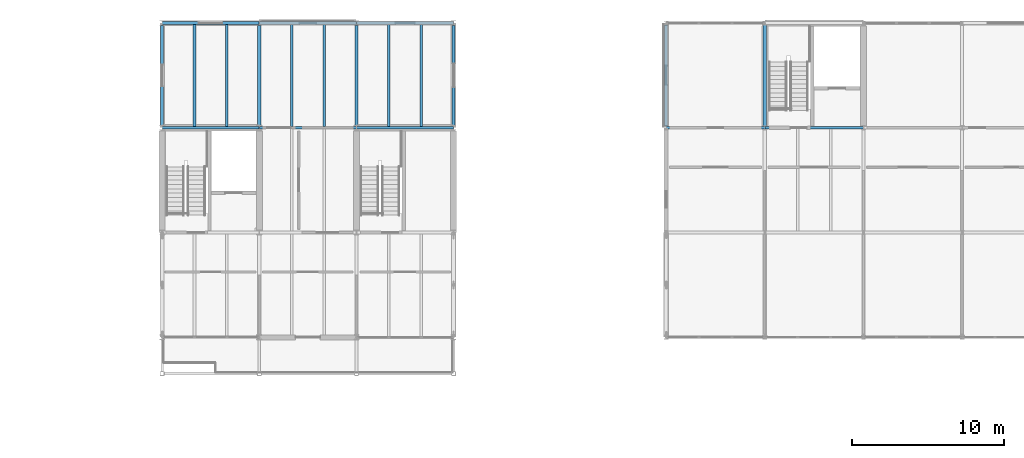
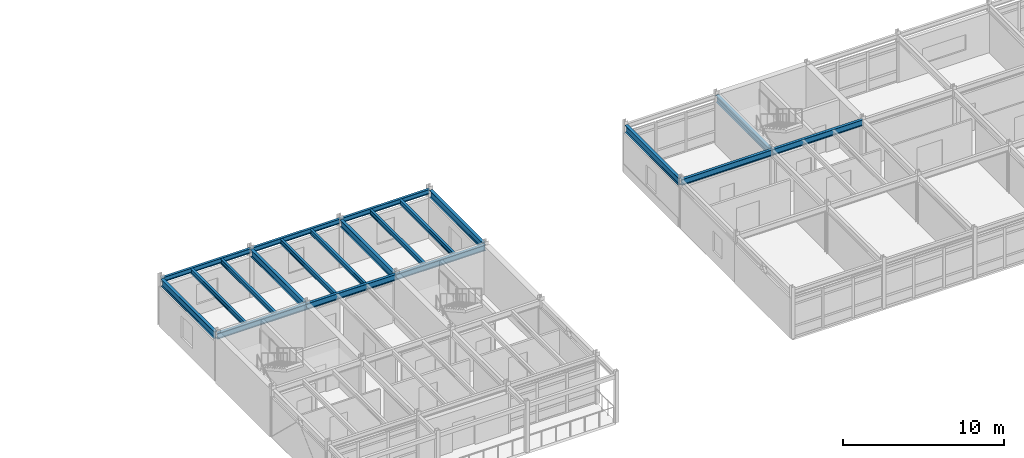
# One storey, part 26 of 57: 20 beams.
"""IFC4 building model written with IfcOpenShell, lengths in metres."""

from ifc_helpers import new_model, si_unit, direction, frame, origin, origin_2d, place, context, subcontext, project, spatial, i_section, extrude, material, material_profile, profile_set, type_object, element, save


model = new_model("IFC4")

# Units and contexts
model_context = context("Model", 3, precision=1e-05, world=origin(), true_north=direction((0.0, 1.0)))
body_context = subcontext(model_context, "Body", "Model", "MODEL_VIEW")
ifc_project = project(units=[si_unit("LENGTHUNIT", "METRE"), si_unit("AREAUNIT", "SQUARE_METRE"), si_unit("VOLUMEUNIT", "CUBIC_METRE"), si_unit("PLANEANGLEUNIT", "RADIAN"), si_unit("MASSUNIT", "GRAM", prefix="KILO")], contexts=[model_context])

# Site, building, storey
site_placement = place(None, origin())
site = spatial("IfcSite", under=ifc_project, at=site_placement, CompositionType="ELEMENT")
building_placement = place(site_placement, origin())
building = spatial("IfcBuilding", under=site, at=building_placement, Name="Trelmorton Wharf Fire Station", CompositionType="ELEMENT")
storey_placement = place(building_placement, frame((0.0, 0.0, 13.5)))
storey = spatial("IfcBuildingStorey", under=building, at=storey_placement, Name="L03", CompositionType="ELEMENT", Elevation=13.5)

# Beams
ifc_material = material(Name="Steel Grade 350", Category="steel")
ifc_material_profile_1 = material_profile(ifc_material, i_section(OverallWidth=0.18994140625, OverallDepth=0.45703125, WebThickness=0.009033203125, FlangeThickness=0.014404296875, FilletRadius=0.011474609375, at=origin_2d()), Name="460UB74.6")
ifc_profile_set_1 = profile_set([ifc_material_profile_1], Name="Steel Grade 350")
beam_type_1 = type_object("IfcBeamType", Name="BM_460UB75", PredefinedType="BEAM", material=ifc_profile_set_1)
beam_1_placement = place(storey_placement, frame((70.804931640625, 74.10009765625, 3.401611328125), z_axis=(1.0, 0.0, 0.0), x_axis=(0.0, 1.0, 0.0)))
element("IfcBeam", 1, at=beam_1_placement, inside=storey, type_object=beam_type_1, Name="BM-L03-0942", PredefinedType="BEAM", context=body_context, shape_type="SweptSolid", body=[
    extrude(i_section(OverallWidth=0.18994140625, OverallDepth=0.45703125, WebThickness=0.009033203125, FlangeThickness=0.014404296875, FilletRadius=0.011474609375, at=origin_2d()), origin(), (0.0, 0.0, 1.0), 6.39013671875),
])
beam_2_placement = place(storey_placement, frame((77.204833984375, 74.10009765625, 3.401611328125), z_axis=(1.0, 0.0, 0.0), x_axis=(0.0, 1.0, 0.0)))
element("IfcBeam", 2, at=beam_2_placement, inside=storey, type_object=beam_type_1, Name="BM-L03-0943", PredefinedType="BEAM", context=body_context, shape_type="SweptSolid", body=[
    extrude(i_section(OverallWidth=0.18994140625, OverallDepth=0.45703125, WebThickness=0.009033203125, FlangeThickness=0.014404296875, FilletRadius=0.011474609375, at=origin_2d()), origin(), (0.0, 0.0, 1.0), 6.390380859375),
])
beam_3_placement = place(storey_placement, frame((83.60498046875, 74.10009765625, 3.401611328125), z_axis=(1.0, 0.0, 0.0), x_axis=(0.0, 1.0, 0.0)))
element("IfcBeam", 3, at=beam_3_placement, inside=storey, type_object=beam_type_1, Name="BM-L03-0944", PredefinedType="BEAM", context=body_context, shape_type="SweptSolid", body=[
    extrude(i_section(OverallWidth=0.18994140625, OverallDepth=0.45703125, WebThickness=0.009033203125, FlangeThickness=0.014404296875, FilletRadius=0.011474609375, at=origin_2d()), origin(), (0.0, 0.0, 1.0), 6.39013671875),
])
for number, where, z_axis, x_axis, name in (
    (4, (104.00390625, 74.10009765625, 3.401611328125), (1.0, 0.0, 0.0), (0.0, 1.0, 0.0), "BM-L03-0945"),
    (5, (110.50390625, 74.10009765625, 3.401611328125), (1.0, 0.0, 0.0), (0.0, 1.0, 0.0), "BM-L03-0946"),
):
    element("IfcBeam", number, at=place(storey_placement, frame(where, z_axis=z_axis, x_axis=x_axis)), inside=storey, type_object=beam_type_1, Name=name, PredefinedType="BEAM", context=body_context, shape_type="SweptSolid", body=[
        extrude(i_section(OverallWidth=0.18994140625, OverallDepth=0.45703125, WebThickness=0.009033203125, FlangeThickness=0.014404296875, FilletRadius=0.011474609375, at=origin_2d()), origin(), (0.0, 0.0, 1.0), 6.4921875),
    ])
ifc_material_profile_2 = material_profile(ifc_material, i_section(OverallWidth=0.208984375, OverallDepth=0.532958984375, WebThickness=0.01025390625, FlangeThickness=0.015625, FilletRadius=0.013916015625, at=origin_2d()), Name="530UB92.4")
ifc_profile_set_2 = profile_set([ifc_material_profile_2], Name="Steel Grade 350")
beam_type_2 = type_object("IfcBeamType", Name="BM_530UB92", PredefinedType="BEAM", material=ifc_profile_set_2)
for number, where, z_axis, x_axis, name in (
    (6, (70.800048828125, 74.256591796875, 3.363525390625), (0.0, 1.0, 0.0), (-1.0, 0.0, 0.0), "BM-L03-0967"),
    (7, (77.199951171875, 74.256591796875, 3.363525390625), (0.0, 1.0, 0.0), (-1.0, 0.0, 0.0), "BM-L03-0971"),
    (8, (83.60009765625, 74.256591796875, 3.363525390625), (0.0, 1.0, 0.0), (-1.0, 0.0, 0.0), "BM-L03-0975"),
    (9, (90.0, 74.256591796875, 3.363525390625), (0.0, 1.0, 0.0), (-1.0, 0.0, 0.0), "BM-L03-0979"),
):
    element("IfcBeam", number, at=place(storey_placement, frame(where, z_axis=z_axis, x_axis=x_axis)), inside=storey, type_object=beam_type_2, Name=name, PredefinedType="BEAM", context=body_context, shape_type="SweptSolid", body=[
        extrude(i_section(OverallWidth=0.208984375, OverallDepth=0.532958984375, WebThickness=0.01025390625, FlangeThickness=0.015625, FilletRadius=0.013916015625, at=origin_2d()), origin(), (0.0, 0.0, 1.0), 6.5869140625),
    ])
for number, where, z_axis, x_axis, name in (
    (10, (104.0, 74.22607421875, 3.363525390625), (0.0, 1.0, 0.0), (-1.0, 0.0, 0.0), "BM-L03-0982"),
    (11, (110.5, 74.22607421875, 3.363525390625), (0.0, 1.0, 0.0), (-1.0, 0.0, 0.0), "BM-L03-0988"),
):
    element("IfcBeam", number, at=place(storey_placement, frame(where, z_axis=z_axis, x_axis=x_axis)), inside=storey, type_object=beam_type_2, Name=name, PredefinedType="BEAM", context=body_context, shape_type="SweptSolid", body=[
        extrude(i_section(OverallWidth=0.208984375, OverallDepth=0.532958984375, WebThickness=0.01025390625, FlangeThickness=0.015625, FilletRadius=0.013916015625, at=origin_2d()), origin(), (0.0, 0.0, 1.0), 6.64794921875),
    ])
ifc_material_profile_3 = material_profile(ifc_material, i_section(OverallWidth=0.172119140625, OverallDepth=0.35888671875, WebThickness=0.008056640625, FlangeThickness=0.012939453125, FilletRadius=0.011474609375, at=origin_2d()), Name="360UB56.7")
ifc_profile_set_3 = profile_set([ifc_material_profile_3], Name="Steel Grade 350")
beam_type_3 = type_object("IfcBeamType", Name="JS_360UB57", PredefinedType="JOIST", material=ifc_profile_set_3)
for number, where, z_axis, x_axis, name in (
    (12, (72.933349609375, 74.18994140625, 3.450439453125), (0.0, 1.0, 0.0), (-1.0, 0.0, 0.0), "JS-L03-0331"),
    (13, (75.066650390625, 74.18994140625, 3.450439453125), (0.0, 1.0, 0.0), (-1.0, 0.0, 0.0), "JS-L03-0332"),
    (14, (79.333251953125, 74.18994140625, 3.450439453125), (0.0, 1.0, 0.0), (-1.0, 0.0, 0.0), "JS-L03-0337"),
    (15, (81.466796875, 74.18994140625, 3.450439453125), (0.0, 1.0, 0.0), (-1.0, 0.0, 0.0), "JS-L03-0338"),
    (16, (85.7333984375, 74.18994140625, 3.450439453125), (0.0, 1.0, 0.0), (-1.0, 0.0, 0.0), "JS-L03-0341"),
    (17, (87.86669921875, 74.18994140625, 3.450439453125), (0.0, 1.0, 0.0), (-1.0, 0.0, 0.0), "JS-L03-0342"),
):
    element("IfcBeam", number, at=place(storey_placement, frame(where, z_axis=z_axis, x_axis=x_axis)), inside=storey, type_object=beam_type_3, Name=name, PredefinedType="JOIST", context=body_context, shape_type="SweptSolid", body=[
        extrude(i_section(OverallWidth=0.172119140625, OverallDepth=0.35888671875, WebThickness=0.008056640625, FlangeThickness=0.012939453125, FilletRadius=0.011474609375, at=origin_2d()), origin(), (0.0, 0.0, 1.0), 6.719970703125),
    ])
ifc_material_profile_4 = material_profile(ifc_material, i_section(OverallWidth=0.1708984375, OverallDepth=0.35595703125, WebThickness=0.00732421875, FlangeThickness=0.011474609375, FilletRadius=0.011474609375, at=origin_2d()), Name="360UB50.7")
ifc_profile_set_4 = profile_set([ifc_material_profile_4], Name="Steel Grade 350")
beam_type_4 = type_object("IfcBeamType", Name="SP_360UB51", PredefinedType="SPANDREL", material=ifc_profile_set_4)
beam_4_placement = place(storey_placement, frame((70.804931640625, 81.0, 3.451904296875), z_axis=(1.0, 0.0, 0.0), x_axis=(0.0, 1.0, 0.0)))
element("IfcBeam", 18, at=beam_4_placement, inside=storey, type_object=beam_type_4, Name="BM-L03-0953", PredefinedType="SPANDREL", context=body_context, shape_type="SweptSolid", body=[
    extrude(i_section(OverallWidth=0.1708984375, OverallDepth=0.35595703125, WebThickness=0.00732421875, FlangeThickness=0.011474609375, FilletRadius=0.011474609375, at=origin_2d()), origin(), (0.0, 0.0, 1.0), 6.39013671875),
])
beam_5_placement = place(storey_placement, frame((77.204833984375, 81.0, 3.451904296875), z_axis=(1.0, 0.0, 0.0), x_axis=(0.0, 1.0, 0.0)))
element("IfcBeam", 19, at=beam_5_placement, inside=storey, type_object=beam_type_4, Name="BM-L03-0954", PredefinedType="SPANDREL", context=body_context, shape_type="SweptSolid", body=[
    extrude(i_section(OverallWidth=0.1708984375, OverallDepth=0.35595703125, WebThickness=0.00732421875, FlangeThickness=0.011474609375, FilletRadius=0.011474609375, at=origin_2d()), origin(), (0.0, 0.0, 1.0), 6.390380859375),
])
beam_6_placement = place(storey_placement, frame((83.60498046875, 81.0, 3.451904296875), z_axis=(1.0, 0.0, 0.0), x_axis=(0.0, 1.0, 0.0)))
element("IfcBeam", 20, at=beam_6_placement, inside=storey, type_object=beam_type_4, Name="BM-L03-0955", PredefinedType="SPANDREL", context=body_context, shape_type="SweptSolid", body=[
    extrude(i_section(OverallWidth=0.1708984375, OverallDepth=0.35595703125, WebThickness=0.00732421875, FlangeThickness=0.011474609375, FilletRadius=0.011474609375, at=origin_2d()), origin(), (0.0, 0.0, 1.0), 6.39013671875),
])

save(model, "model.ifc")
